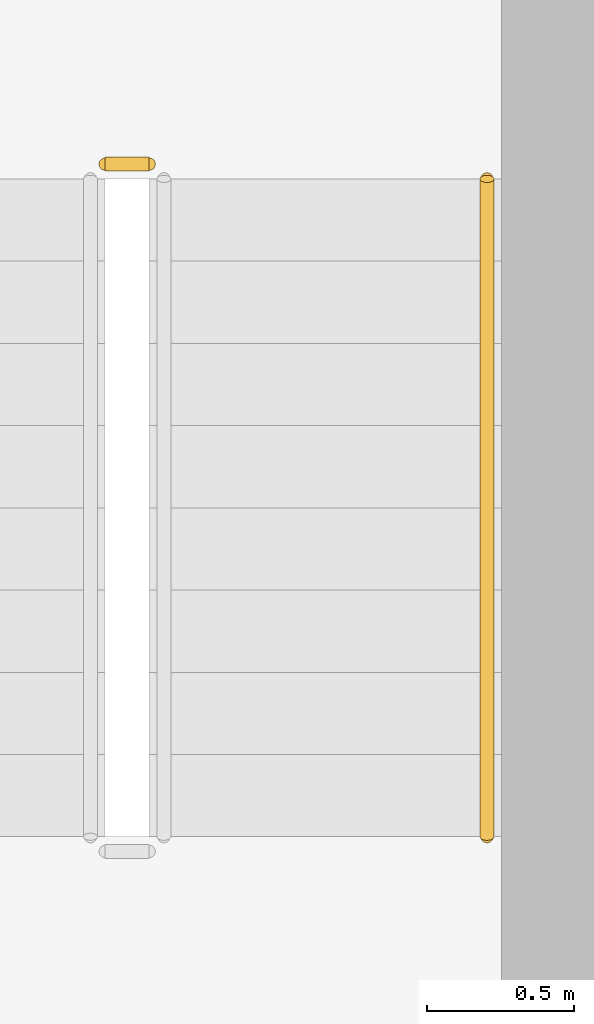
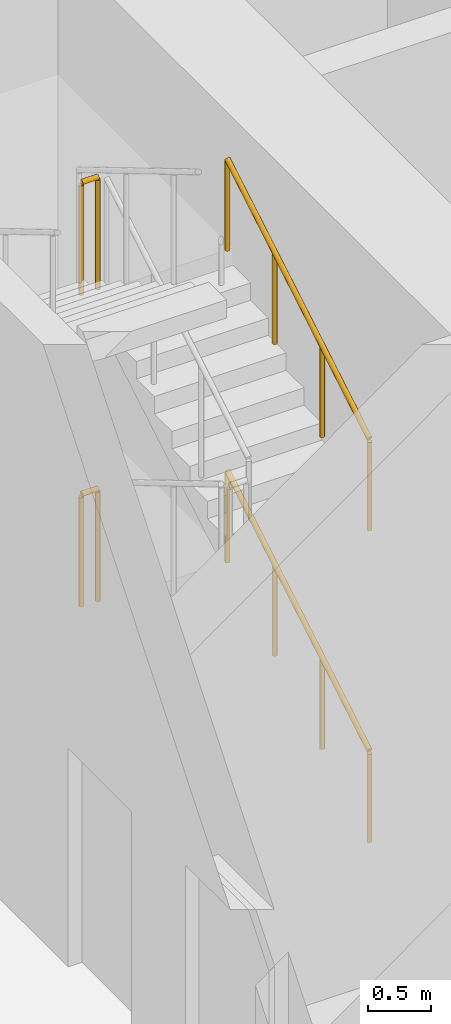
# One storey, part 39 of 40: 4 railings.
"""IFC4 building model written with IfcOpenShell, lengths in metres."""

from ifc_helpers import new_model, si_unit, direction, frame, origin, origin_2d, place, context, subcontext, project, spatial, circle, extrude, material, type_object, element, save


model = new_model("IFC4")

# Units and contexts
model_context = context("Model", 3, precision=1e-05, world=origin(), true_north=direction((0.0, 1.0)))
body_context = subcontext(model_context, "Body", "Model", "MODEL_VIEW")
ifc_project = project(units=[si_unit("LENGTHUNIT", "METRE"), si_unit("AREAUNIT", "SQUARE_METRE"), si_unit("VOLUMEUNIT", "CUBIC_METRE"), si_unit("PLANEANGLEUNIT", "RADIAN"), si_unit("MASSUNIT", "GRAM", prefix="KILO")], contexts=[model_context])

# Site, building, storey
site_placement = place(None, origin())
site = spatial("IfcSite", under=ifc_project, at=site_placement, CompositionType="ELEMENT")
building_placement = place(site_placement, origin())
building = spatial("IfcBuilding", under=site, at=building_placement, Name="Aloe Facet Convention Tower", CompositionType="ELEMENT")
storey_placement = place(building_placement, frame((0.0, 0.0, 13.5)))
storey = spatial("IfcBuildingStorey", under=building, at=storey_placement, Name="L02", CompositionType="ELEMENT", Elevation=13.5)

# Railings
ifc_material_1 = material(Name="Steel S355 balustrade", Category="steel")
railing_type_1 = type_object("IfcRailingType", Name="CR-RL-GUARD", PredefinedType="GUARDRAIL", material=ifc_material_1)
for number, where, name in (
    (1, (89.199951171875, 131.239990234375, 1.5), "L02 ST2 stair guard 2"),
    (2, (89.199951171875, 131.239990234375, 4.5), "L02 ST2 stair guard 6"),
):
    element("IfcRailing", number, at=place(storey_placement, frame(where)), inside=storey, type_object=railing_type_1, Name=name, PredefinedType="GUARDRAIL", context=body_context, shape_type="SweptSolid", body=[
        extrude(circle(Radius=0.02392578125, at=origin_2d()), frame((0.0, 0.0, 1.076171875), z_axis=(-1.0, 0.0, 0.0), x_axis=(0.0, -1.0, 0.0)), (0.0, 0.0, 1.0), 0.14990234375),
        extrude(circle(Radius=0.02099609375, at=origin_2d()), origin(), (0.0, 0.0, 1.0), 1.052001953125),
        extrude(circle(Radius=0.02099609375, at=origin_2d()), frame((-0.14990234375, 0.0, 0.0)), (0.0, 0.0, 1.0), 1.052001953125),
    ])
ifc_material_2 = material(Name="Steel S355 handrail", Category="steel")
railing_type_2 = type_object("IfcRailingType", Name="CR-RL-HAND", PredefinedType="HANDRAIL", material=ifc_material_2)
for number, where, name in (
    (3, (90.35009765625, 128.949951171875, 0.166748046875), "L02 ST2 stair handrail 1"),
    (4, (90.35009765625, 128.949951171875, 3.166748046875), "L02 ST2 stair handrail 3"),
):
    element("IfcRailing", number, at=place(storey_placement, frame(where)), inside=storey, type_object=railing_type_2, Name=name, PredefinedType="HANDRAIL", context=body_context, shape_type="SweptSolid", body=[
        extrude(circle(Radius=0.02392578125, at=origin_2d()), frame((0.0, 0.0, 0.8759765625), z_axis=(0.0, 0.859305625298, 0.511462454469), x_axis=(-1.0, 0.0, 0.0)), (0.0, 0.0, 1.0), 2.606689453125),
        extrude(circle(Radius=0.02099609375, at=origin_2d()), origin(), (0.0, 0.0, 1.0), 0.851806640625),
        extrude(circle(Radius=0.02099609375, at=origin_2d()), frame((0.0, 0.74658203125, 0.4443359375)), (0.0, 0.0, 1.0), 0.851806640625),
        extrude(circle(Radius=0.02099609375, at=origin_2d()), frame((0.0, 1.493408203125, 0.888916015625)), (0.0, 0.0, 1.0), 0.851806640625),
        extrude(circle(Radius=0.02099609375, at=origin_2d()), frame((0.0, 2.239990234375, 1.333251953125)), (0.0, 0.0, 1.0), 0.851806640625),
    ])

save(model, "model.ifc")
